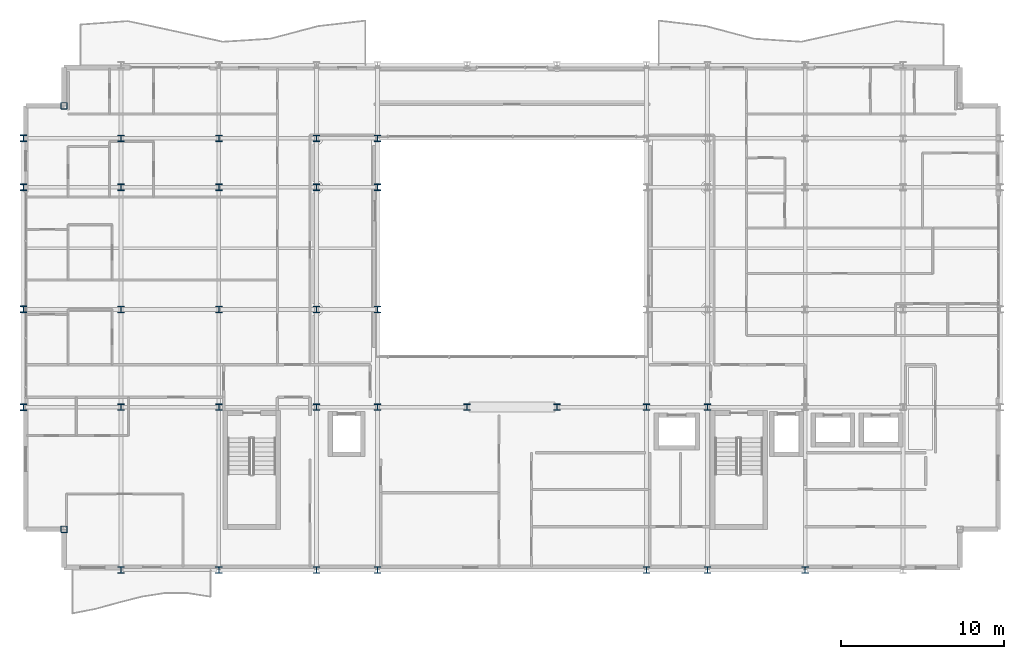
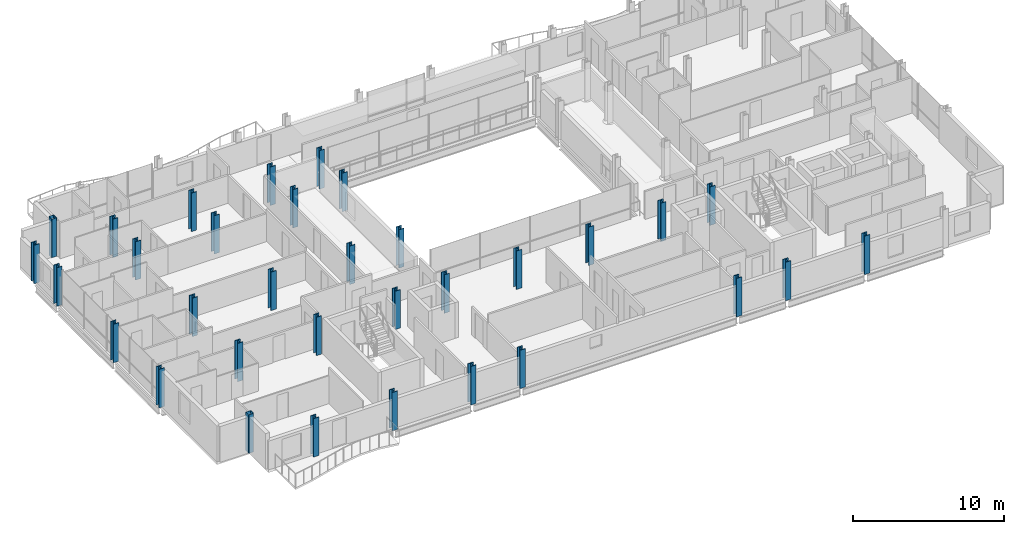
# One storey, part 1 of 41: 33 columns.
"""IFC4 building model written with IfcOpenShell, lengths in metres."""

from ifc_helpers import new_model, si_unit, direction, frame, origin, origin_2d, place, context, subcontext, project, spatial, hollow_rectangle, i_section, extrude, material, material_profile, profile_set, type_object, element, save


model = new_model("IFC4")

# Units and contexts
model_context = context("Model", 3, precision=1e-05, world=origin(), true_north=direction((0.0, 1.0)))
body_context = subcontext(model_context, "Body", "Model", "MODEL_VIEW")
ifc_project = project(units=[si_unit("LENGTHUNIT", "METRE"), si_unit("AREAUNIT", "SQUARE_METRE"), si_unit("VOLUMEUNIT", "CUBIC_METRE"), si_unit("PLANEANGLEUNIT", "RADIAN"), si_unit("MASSUNIT", "GRAM", prefix="KILO")], contexts=[model_context])

# Site, building, storey
site_placement = place(None, origin())
site = spatial("IfcSite", under=ifc_project, at=site_placement, CompositionType="ELEMENT")
building_placement = place(site_placement, origin())
building = spatial("IfcBuilding", under=site, at=building_placement, Name="Brevholm Reach", CompositionType="ELEMENT")
storey_placement = place(building_placement, frame((0.0, 0.0, 151.10009765625)))
storey = spatial("IfcBuildingStorey", under=building, at=storey_placement, Name="L45", CompositionType="ELEMENT", Elevation=151.10009765625)

# Columns
ifc_material_1 = material(Name="Structural Steel S460NH", Category="steel")
ifc_material_profile_1 = material_profile(ifc_material_1, hollow_rectangle(XDim=0.39990234375, YDim=0.39990234375, WallThickness=0.02001953125, InnerFilletRadius=0.011962890625, OuterFilletRadius=0.02392578125, at=origin_2d()), Name="SHS 400x400x20")
ifc_profile_set_1 = profile_set([ifc_material_profile_1], Name="Structural Steel S460NH")
column_type_1 = type_object("IfcColumnType", Name="COL-SHS2", PredefinedType="COLUMN", material=ifc_profile_set_1)
for number, where, z_axis, x_axis, name in (
    (1, (2.5, 2.5, 0.0), (0.0, 0.0, 1.0), (1.0, 0.0, 0.0), "L45 Column 05"),
    (2, (2.5, 28.5, 0.0), (0.0, 0.0, 1.0), (1.0, 0.0, 0.0), "L45 Column 06"),
):
    element("IfcColumn", number, at=place(storey_placement, frame(where, z_axis=z_axis, x_axis=x_axis)), inside=storey, type_object=column_type_1, Name=name, PredefinedType="COLUMN", context=body_context, shape_type="SweptSolid", body=[
        extrude(hollow_rectangle(XDim=0.39990234375, YDim=0.39990234375, WallThickness=0.02001953125, InnerFilletRadius=0.011962890625, OuterFilletRadius=0.02392578125, at=origin_2d()), origin(), (0.0, 0.0, 1.0), 3.099853515625),
    ])
ifc_material_2 = material(Name="Structural Steel S355J2", Category="steel")
ifc_material_profile_2 = material_profile(ifc_material_2, i_section(OverallWidth=0.406982421875, OverallDepth=0.4189453125, WebThickness=0.030517578125, FlangeThickness=0.04931640625, FilletRadius=0.01513671875, at=origin_2d()), Name="UKC 356x406x393")
ifc_profile_set_2 = profile_set([ifc_material_profile_2], Name="Structural Steel S355J2")
column_type_2 = type_object("IfcColumnType", Name="COL-UC4", PredefinedType="COLUMN", material=ifc_profile_set_2)
for number, where, z_axis, x_axis, name in (
    (3, (0.0, 10.0, 0.0), (0.0, 0.0, 1.0), (1.0, 0.0, 0.0), "L45 Column 01"),
    (4, (0.0, 16.0, 0.0), (0.0, 0.0, 1.0), (1.0, 0.0, 0.0), "L45 Column 02"),
    (5, (0.0, 23.5, 0.0), (0.0, 0.0, 1.0), (1.0, 0.0, 0.0), "L45 Column 03"),
    (6, (0.0, 26.5, 0.0), (0.0, 0.0, 1.0), (1.0, 0.0, 0.0), "L45 Column 04"),
    (7, (6.0, 0.0, 0.0), (0.0, 0.0, 1.0), (1.0, 0.0, 0.0), "L45 Column 07"),
    (8, (12.0, 0.0, 0.0), (0.0, 0.0, 1.0), (1.0, 0.0, 0.0), "L45 Column 13"),
    (9, (18.0, 0.0, 0.0), (0.0, 0.0, 1.0), (1.0, 0.0, 0.0), "L45 Column 19"),
    (10, (21.75, 0.0, 0.0), (0.0, 0.0, 1.0), (1.0, 0.0, 0.0), "L45 Column 25"),
    (11, (38.25, 0.0, 0.0), (0.0, 0.0, 1.0), (1.0, 0.0, 0.0), "L45 Column 35"),
    (12, (42.0, 0.0, 0.0), (0.0, 0.0, 1.0), (1.0, 0.0, 0.0), "L45 Column 41"),
    (13, (48.0, 0.0, 0.0), (0.0, 0.0, 1.0), (1.0, 0.0, 0.0), "L45 Column 47"),
):
    element("IfcColumn", number, at=place(storey_placement, frame(where, z_axis=z_axis, x_axis=x_axis)), inside=storey, type_object=column_type_2, Name=name, PredefinedType="COLUMN", context=body_context, shape_type="SweptSolid", body=[
        extrude(i_section(OverallWidth=0.406982421875, OverallDepth=0.4189453125, WebThickness=0.030517578125, FlangeThickness=0.04931640625, FilletRadius=0.01513671875, at=origin_2d()), origin(), (0.0, 0.0, 1.0), 3.099853515625),
    ])
ifc_material_3 = material(Name="Structural Steel S355J2", Category="steel")
ifc_material_profile_3 = material_profile(ifc_material_3, i_section(OverallWidth=0.403076171875, OverallDepth=0.406494140625, WebThickness=0.026611328125, FlangeThickness=0.04296875, FilletRadius=0.01513671875, at=origin_2d()), Name="UKC 356x406x340")
ifc_profile_set_3 = profile_set([ifc_material_profile_3], Name="Structural Steel S355J2")
column_type_3 = type_object("IfcColumnType", Name="COL-UC5", PredefinedType="COLUMN", material=ifc_profile_set_3)
for number, where, z_axis, x_axis, name in (
    (14, (6.0, 10.0, 0.0), (0.0, 0.0, 1.0), (1.0, 0.0, 0.0), "L45 Column 08"),
    (15, (6.0, 16.0, 0.0), (0.0, 0.0, 1.0), (1.0, 0.0, 0.0), "L45 Column 09"),
    (16, (6.0, 23.5, 0.0), (0.0, 0.0, 1.0), (1.0, 0.0, 0.0), "L45 Column 10"),
    (17, (6.0, 26.5, 0.0), (0.0, 0.0, 1.0), (1.0, 0.0, 0.0), "L45 Column 11"),
    (18, (12.0, 10.0, 0.0), (0.0, 0.0, 1.0), (1.0, 0.0, 0.0), "L45 Column 14"),
    (19, (12.0, 16.0, 0.0), (0.0, 0.0, 1.0), (1.0, 0.0, 0.0), "L45 Column 15"),
    (20, (12.0, 23.5, 0.0), (0.0, 0.0, 1.0), (1.0, 0.0, 0.0), "L45 Column 16"),
    (21, (12.0, 26.5, 0.0), (0.0, 0.0, 1.0), (1.0, 0.0, 0.0), "L45 Column 17"),
    (22, (18.0, 10.0, 0.0), (0.0, 0.0, 1.0), (1.0, 0.0, 0.0), "L45 Column 20"),
    (23, (18.0, 16.0, 0.0), (0.0, 0.0, 1.0), (1.0, 0.0, 0.0), "L45 Column 21"),
    (24, (18.0, 23.5, 0.0), (0.0, 0.0, 1.0), (1.0, 0.0, 0.0), "L45 Column 22"),
    (25, (18.0, 26.5, 0.0), (0.0, 0.0, 1.0), (1.0, 0.0, 0.0), "L45 Column 23"),
    (26, (21.75, 10.0, 0.0), (0.0, 0.0, 1.0), (1.0, 0.0, 0.0), "L45 Column 26"),
    (27, (21.75, 16.0, 0.0), (0.0, 0.0, 1.0), (1.0, 0.0, 0.0), "L45 Column 27"),
    (28, (21.75, 23.5, 0.0), (0.0, 0.0, 1.0), (1.0, 0.0, 0.0), "L45 Column 28"),
    (29, (21.75, 26.5, 0.0), (0.0, 0.0, 1.0), (1.0, 0.0, 0.0), "L45 Column 29"),
    (30, (27.25, 10.0, 0.0), (0.0, 0.0, 1.0), (1.0, 0.0, 0.0), "L45 Column 31"),
    (31, (32.75, 10.0, 0.0), (0.0, 0.0, 1.0), (1.0, 0.0, 0.0), "L45 Column 33"),
    (32, (38.25, 10.0, 0.0), (0.0, 0.0, 1.0), (1.0, 0.0, 0.0), "L45 Column 36"),
    (33, (42.0, 10.0, 0.0), (0.0, 0.0, 1.0), (1.0, 0.0, 0.0), "L45 Column 42"),
):
    element("IfcColumn", number, at=place(storey_placement, frame(where, z_axis=z_axis, x_axis=x_axis)), inside=storey, type_object=column_type_3, Name=name, PredefinedType="COLUMN", context=body_context, shape_type="SweptSolid", body=[
        extrude(i_section(OverallWidth=0.403076171875, OverallDepth=0.406494140625, WebThickness=0.026611328125, FlangeThickness=0.04296875, FilletRadius=0.01513671875, at=origin_2d()), origin(), (0.0, 0.0, 1.0), 3.099853515625),
    ])

save(model, "model.ifc")
